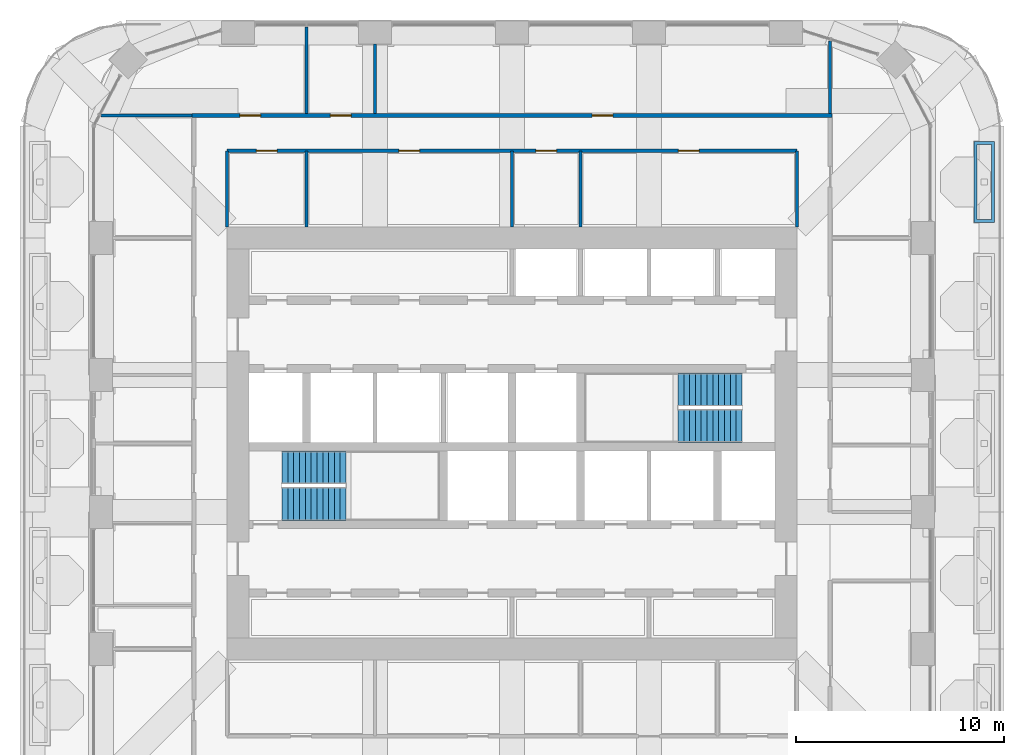
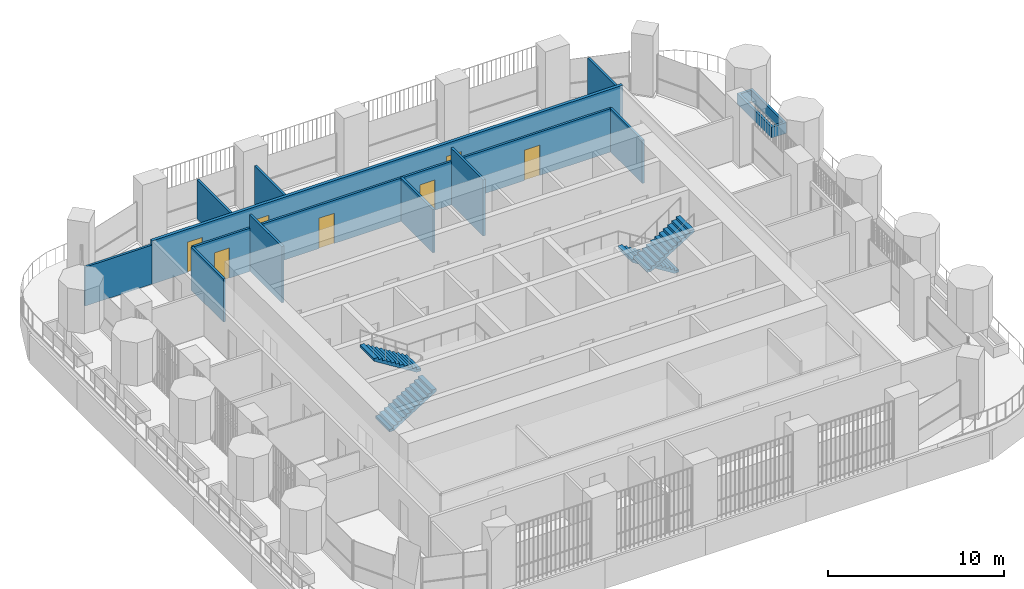
# One storey, part 17 of 24: 12 walls, 7 doors, 4 stair flights, 7 openings, 2 elements without a shape of their own.
"""IFC4 building model written with IfcOpenShell, lengths in metres."""

from ifc_helpers import new_model, si_unit, direction, frame, frame_2d, origin, place, context, subcontext, project, spatial, polyline, rectangle, outline, extrude, material, layer, layer_set, type_object, element, fill, aggregate, save


model = new_model("IFC4")

# Units and contexts
model_context = context("Model", 3, precision=1e-05, world=origin(), true_north=direction((0.0, 1.0)))
body_context = subcontext(model_context, "Body", "Model", "MODEL_VIEW")
ifc_project = project(units=[si_unit("LENGTHUNIT", "METRE"), si_unit("AREAUNIT", "SQUARE_METRE"), si_unit("VOLUMEUNIT", "CUBIC_METRE"), si_unit("PLANEANGLEUNIT", "RADIAN"), si_unit("MASSUNIT", "GRAM", prefix="KILO")], contexts=[model_context])

# Site, building, storey
site_placement = place(None, origin())
site = spatial("IfcSite", under=ifc_project, at=site_placement, CompositionType="ELEMENT")
building_placement = place(site_placement, origin())
building = spatial("IfcBuilding", under=site, at=building_placement, Name="Cobogo Forest Laboratory Tower", CompositionType="ELEMENT")
storey_placement = place(building_placement, frame((0.0, 0.0, 229.199951171875)))
storey = spatial("IfcBuildingStorey", under=building, at=storey_placement, Name="L52", CompositionType="ELEMENT", Elevation=229.199951171875)

# Wall, openings, doors
ifc_material_1 = material(Name="Gypsum board on steel studs", Category="steel")
ifc_layer_1 = layer(ifc_material_1, 0.14990234375)
ifc_layer_set_1 = layer_set([ifc_layer_1], Name="PT1 laboratory partition 150")
wall_type_1 = type_object("IfcWallType", Name="PT1 laboratory partition 150", PredefinedType="PARTITIONING", material=ifc_layer_set_1)
wall_1_placement = place(storey_placement, frame((12.675048828125, 37.199951171875, 0.0), z_axis=(0.0, 0.0, 1.0), x_axis=(1.0, 0.0, 0.0)))
wall_1 = element("IfcWall", 1, at=wall_1_placement, inside=storey, type_object=wall_type_1, Name="Partition CSTRIP-N L52", PredefinedType="PARTITIONING", context=body_context, shape_type="SweptSolid", body=[
    extrude(rectangle(XDim=27.449951171875, YDim=0.14990234375, at=frame_2d((13.72509765625, 0.0))), origin(), (0.0, 0.0, 1.0), 3.0),
])
opening_1_placement = place(wall_1_placement, frame((1.41259765625, 0.0, 0.0)))
opening_1 = element("IfcOpeningElement", 2, at=opening_1_placement, cuts=wall_1, Name="Opening L52-D43", PredefinedType="OPENING", context=body_context, shape_type="SweptSolid", body=[
    extrude(rectangle(XDim=1.0, YDim=2.10009765625, at=frame_2d((0.5, 1.050048828125))), frame((0.0, 0.0849609375, 0.0), z_axis=(0.0, -1.0, 0.0), x_axis=(1.0, 0.0, 0.0)), (0.0, 0.0, 1.0), 0.169921875),
])
opening_2_placement = place(wall_1_placement, frame((8.27490234375, 0.0, 0.0)))
opening_2 = element("IfcOpeningElement", 3, at=opening_2_placement, cuts=wall_1, Name="Opening L52-D44", PredefinedType="OPENING", context=body_context, shape_type="SweptSolid", body=[
    extrude(rectangle(XDim=1.0, YDim=2.10009765625, at=frame_2d((0.5, 1.050048828125))), frame((0.0, 0.0849609375, 0.0), z_axis=(0.0, -1.0, 0.0), x_axis=(1.0, 0.0, 0.0)), (0.0, 0.0, 1.0), 0.169921875),
])
opening_3_placement = place(wall_1_placement, frame((14.875, 0.0, 0.0)))
opening_3 = element("IfcOpeningElement", 4, at=opening_3_placement, cuts=wall_1, Name="Opening L52-D45", PredefinedType="OPENING", context=body_context, shape_type="SweptSolid", body=[
    extrude(rectangle(XDim=1.0, YDim=2.10009765625, at=frame_2d((0.5, 1.050048828125))), frame((0.0, 0.0849609375, 0.0), z_axis=(0.0, -1.0, 0.0), x_axis=(1.0, 0.0, 0.0)), (0.0, 0.0, 1.0), 0.169921875),
])
opening_4_placement = place(wall_1_placement, frame((21.737548828125, 0.0, 0.0)))
opening_4 = element("IfcOpeningElement", 5, at=opening_4_placement, cuts=wall_1, Name="Opening L52-D46", PredefinedType="OPENING", context=body_context, shape_type="SweptSolid", body=[
    extrude(rectangle(XDim=1.0, YDim=2.10009765625, at=frame_2d((0.5, 1.050048828125))), frame((0.0, 0.0849609375, 0.0), z_axis=(0.0, -1.0, 0.0), x_axis=(1.0, 0.0, 0.0)), (0.0, 0.0, 1.0), 0.169921875),
])
ifc_material_2 = material(Name="Timber fire door", Category="wood")
door_type = type_object("IfcDoorType", Name="FD2 fire door 1000 EI2 30", OperationType="SINGLE_SWING_LEFT", PredefinedType="DOOR", material=ifc_material_2)
door_1_placement = place(opening_1_placement, origin())
door_1 = element("IfcDoor", 6, at=door_1_placement, inside=storey, type_object=door_type, Name="Door L52-CSN1", OperationType="SINGLE_SWING_LEFT", OverallHeight=2.10009765625, OverallWidth=1.0, PredefinedType="DOOR", context=body_context, shape_type="SweptSolid", body=[
    extrude(rectangle(XDim=1.0, YDim=2.10009765625, at=frame_2d((0.5, 1.050048828125))), frame((0.0, 0.02490234375, 0.0), z_axis=(0.0, -1.0, 0.0), x_axis=(1.0, 0.0, 0.0)), (0.0, 0.0, 1.0), 0.050048828125),
])
fill(opening_1, door_1)
door_2_placement = place(opening_2_placement, origin())
door_2 = element("IfcDoor", 7, at=door_2_placement, inside=storey, type_object=door_type, Name="Door L52-CSN2", OperationType="SINGLE_SWING_LEFT", OverallHeight=2.10009765625, OverallWidth=1.0, PredefinedType="DOOR", context=body_context, shape_type="SweptSolid", body=[
    extrude(rectangle(XDim=1.0, YDim=2.10009765625, at=frame_2d((0.5, 1.050048828125))), frame((0.0, 0.02490234375, 0.0), z_axis=(0.0, -1.0, 0.0), x_axis=(1.0, 0.0, 0.0)), (0.0, 0.0, 1.0), 0.050048828125),
])
fill(opening_2, door_2)
door_3_placement = place(opening_3_placement, origin())
door_3 = element("IfcDoor", 8, at=door_3_placement, inside=storey, type_object=door_type, Name="Door L52-CSN3", OperationType="SINGLE_SWING_RIGHT", OverallHeight=2.10009765625, OverallWidth=1.0, PredefinedType="DOOR", context=body_context, shape_type="SweptSolid", body=[
    extrude(rectangle(XDim=1.0, YDim=2.10009765625, at=frame_2d((0.5, 1.050048828125))), frame((0.0, 0.02490234375, 0.0), z_axis=(0.0, -1.0, 0.0), x_axis=(1.0, 0.0, 0.0)), (0.0, 0.0, 1.0), 0.050048828125),
])
fill(opening_3, door_3)
door_4_placement = place(opening_4_placement, origin())
door_4 = element("IfcDoor", 9, at=door_4_placement, inside=storey, type_object=door_type, Name="Door L52-CSN4", OperationType="SINGLE_SWING_RIGHT", OverallHeight=2.10009765625, OverallWidth=1.0, PredefinedType="DOOR", context=body_context, shape_type="SweptSolid", body=[
    extrude(rectangle(XDim=1.0, YDim=2.10009765625, at=frame_2d((0.5, 1.050048828125))), frame((0.0, 0.02490234375, 0.0), z_axis=(0.0, -1.0, 0.0), x_axis=(1.0, 0.0, 0.0)), (0.0, 0.0, 1.0), 0.050048828125),
])
fill(opening_4, door_4)

# Walls
for number, where, z_axis, x_axis, name in (
    (10, (12.675048828125, 33.52490234375, 0.0), (0.0, 0.0, 1.0), (0.0, 1.0, 0.0), "Partition CSTRIP-NW L52"),
    (11, (40.125, 33.52490234375, 0.0), (0.0, 0.0, 1.0), (0.0, 1.0, 0.0), "Partition CSTRIP-NE L52"),
):
    element("IfcWall", number, at=place(storey_placement, frame(where, z_axis=z_axis, x_axis=x_axis)), inside=storey, type_object=wall_type_1, Name=name, PredefinedType="PARTITIONING", context=body_context, shape_type="SweptSolid", body=[
        extrude(rectangle(XDim=3.675048828125, YDim=0.14990234375, at=frame_2d((1.83740234375, 0.0))), origin(), (0.0, 0.0, 1.0), 3.0),
    ])
wall_2_placement = place(storey_placement, frame((16.5, 33.52490234375, 0.0), z_axis=(0.0, 0.0, 1.0), x_axis=(0.0, 1.0, 0.0)))
element("IfcWall", 12, at=wall_2_placement, inside=storey, type_object=wall_type_1, Name="Partition CSTRIP-N16.5 L52", PredefinedType="PARTITIONING", context=body_context, shape_type="SweptSolid", body=[
    extrude(rectangle(XDim=3.675048828125, YDim=0.14990234375, at=frame_2d((1.83740234375, 0.0))), origin(), (0.0, 0.0, 1.0), 3.900146484375),
])
wall_3_placement = place(storey_placement, frame((26.39990234375, 33.52490234375, 0.0), z_axis=(0.0, 0.0, 1.0), x_axis=(0.0, 1.0, 0.0)))
element("IfcWall", 13, at=wall_3_placement, inside=storey, type_object=wall_type_1, Name="Partition CSTRIP-N26.4 L52", PredefinedType="PARTITIONING", context=body_context, shape_type="SweptSolid", body=[
    extrude(rectangle(XDim=3.675048828125, YDim=0.14990234375, at=frame_2d((1.83740234375, 0.0))), origin(), (0.0, 0.0, 1.0), 3.0),
])
wall_4_placement = place(storey_placement, frame((29.699951171875, 33.52490234375, 0.0), z_axis=(0.0, 0.0, 1.0), x_axis=(0.0, 1.0, 0.0)))
element("IfcWall", 14, at=wall_4_placement, inside=storey, type_object=wall_type_1, Name="Partition CSTRIP-N29.7 L52", PredefinedType="PARTITIONING", context=body_context, shape_type="SweptSolid", body=[
    extrude(rectangle(XDim=3.675048828125, YDim=0.14990234375, at=frame_2d((1.83740234375, 0.0))), origin(), (0.0, 0.0, 1.0), 3.900146484375),
])
wall_5_placement = place(storey_placement, frame((41.72509765625, 42.4951171875, 0.0), z_axis=(0.0, 0.0, 1.0), x_axis=(0.0, -1.0, 0.0)))
element("IfcWall", 15, at=wall_5_placement, inside=storey, type_object=wall_type_1, Name="Partition PW-NE L52", PredefinedType="PARTITIONING", context=body_context, shape_type="SweptSolid", body=[
    extrude(rectangle(XDim=3.4951171875, YDim=0.14990234375, at=frame_2d((1.74755859375, 0.0))), origin(), (0.0, 0.0, 1.0), 2.699951171875),
])
wall_6_placement = place(storey_placement, frame((6.6025390625, 38.89990234375, 0.0), z_axis=(0.0, 0.0, 1.0), x_axis=(1.0, 0.0, 0.0)))
element("IfcWall", 16, at=wall_6_placement, inside=storey, type_object=wall_type_1, Name="Partition PW-NW L52", PredefinedType="PARTITIONING", context=body_context, shape_type="SweptSolid", body=[
    extrude(rectangle(XDim=4.37255859375, YDim=0.14990234375, at=frame_2d((2.186279296875, 0.0))), origin(), (0.0, 0.0, 1.0), 2.699951171875),
])
wall_7_placement = place(storey_placement, frame((16.5, 43.169921875, 0.0), z_axis=(0.0, 0.0, 1.0), x_axis=(0.0, -1.0, 0.0)))
element("IfcWall", 17, at=wall_7_placement, inside=storey, type_object=wall_type_1, Name="Partition CUT-N16.5-1 L52", PredefinedType="PARTITIONING", context=body_context, shape_type="SweptSolid", body=[
    extrude(rectangle(XDim=4.169921875, YDim=0.14990234375, at=frame_2d((2.0849609375, 0.0))), origin(), (0.0, 0.0, 1.0), 2.699951171875),
])
wall_8_placement = place(storey_placement, frame((19.800048828125, 42.35009765625, 0.0), z_axis=(0.0, 0.0, 1.0), x_axis=(0.0, -1.0, 0.0)))
element("IfcWall", 18, at=wall_8_placement, inside=storey, type_object=wall_type_1, Name="Partition CUT-N19.8-1 L52", PredefinedType="PARTITIONING", context=body_context, shape_type="SweptSolid", body=[
    extrude(rectangle(XDim=3.35009765625, YDim=0.14990234375, at=frame_2d((1.675048828125, 0.0))), origin(), (0.0, 0.0, 1.0), 3.0),
])

# Wall, openings, doors
ifc_layer_2 = layer(ifc_material_1, 0.199951171875)
ifc_layer_set_2 = layer_set([ifc_layer_2], Name="PT2 fire-rated corridor partition 200")
wall_type_2 = type_object("IfcWallType", Name="PT2 fire-rated corridor partition 200", PredefinedType="PARTITIONING", material=ifc_layer_set_2)
wall_9_placement = place(storey_placement, frame((10.97509765625, 38.89990234375, 0.0), z_axis=(0.0, 0.0, 1.0), x_axis=(1.0, 0.0, 0.0)))
wall_9 = element("IfcWall", 19, at=wall_9_placement, inside=storey, type_object=wall_type_2, Name="Partition CORR-N L52", PredefinedType="PARTITIONING", context=body_context, shape_type="SweptSolid", body=[
    extrude(rectangle(XDim=30.849853515625, YDim=0.199951171875, at=frame_2d((15.4248046875, 0.0))), origin(), (0.0, 0.0, 1.0), 3.0),
])
opening_5_placement = place(wall_9_placement, frame((2.3125, 0.0, 0.0)))
opening_5 = element("IfcOpeningElement", 20, at=opening_5_placement, cuts=wall_9, Name="Opening L52-D47", PredefinedType="OPENING", context=body_context, shape_type="SweptSolid", body=[
    extrude(rectangle(XDim=1.0, YDim=2.10009765625, at=frame_2d((0.5, 1.050048828125))), frame((0.0, 0.10986328125, 0.0), z_axis=(0.0, -1.0, 0.0), x_axis=(1.0, 0.0, 0.0)), (0.0, 0.0, 1.0), 0.219970703125),
])
opening_6_placement = place(wall_9_placement, frame((6.675048828125, 0.0, 0.0)))
opening_6 = element("IfcOpeningElement", 21, at=opening_6_placement, cuts=wall_9, Name="Opening L52-D48", PredefinedType="OPENING", context=body_context, shape_type="SweptSolid", body=[
    extrude(rectangle(XDim=1.0, YDim=2.10009765625, at=frame_2d((0.5, 1.050048828125))), frame((0.0, 0.10986328125, 0.0), z_axis=(0.0, -1.0, 0.0), x_axis=(1.0, 0.0, 0.0)), (0.0, 0.0, 1.0), 0.219970703125),
])
opening_7_placement = place(wall_9_placement, frame((19.28759765625, 0.0, 0.0)))
opening_7 = element("IfcOpeningElement", 22, at=opening_7_placement, cuts=wall_9, Name="Opening L52-D49", PredefinedType="OPENING", context=body_context, shape_type="SweptSolid", body=[
    extrude(rectangle(XDim=1.0, YDim=2.10009765625, at=frame_2d((0.5, 1.050048828125))), frame((0.0, 0.10986328125, 0.0), z_axis=(0.0, -1.0, 0.0), x_axis=(1.0, 0.0, 0.0)), (0.0, 0.0, 1.0), 0.219970703125),
])
door_5_placement = place(opening_5_placement, origin())
door_5 = element("IfcDoor", 23, at=door_5_placement, inside=storey, type_object=door_type, Name="Door L52-N1", OperationType="SINGLE_SWING_LEFT", OverallHeight=2.10009765625, OverallWidth=1.0, PredefinedType="DOOR", context=body_context, shape_type="SweptSolid", body=[
    extrude(rectangle(XDim=1.0, YDim=2.10009765625, at=frame_2d((0.5, 1.050048828125))), frame((0.0, 0.02490234375, 0.0), z_axis=(0.0, -1.0, 0.0), x_axis=(1.0, 0.0, 0.0)), (0.0, 0.0, 1.0), 0.050048828125),
])
fill(opening_5, door_5)
door_6_placement = place(opening_6_placement, origin())
door_6 = element("IfcDoor", 24, at=door_6_placement, inside=storey, type_object=door_type, Name="Door L52-N2", OperationType="SINGLE_SWING_LEFT", OverallHeight=2.10009765625, OverallWidth=1.0, PredefinedType="DOOR", context=body_context, shape_type="SweptSolid", body=[
    extrude(rectangle(XDim=1.0, YDim=2.10009765625, at=frame_2d((0.5, 1.050048828125))), frame((0.0, 0.02490234375, 0.0), z_axis=(0.0, -1.0, 0.0), x_axis=(1.0, 0.0, 0.0)), (0.0, 0.0, 1.0), 0.050048828125),
])
fill(opening_6, door_6)
door_7_placement = place(opening_7_placement, origin())
door_7 = element("IfcDoor", 25, at=door_7_placement, inside=storey, type_object=door_type, Name="Door L52-N3", OperationType="SINGLE_SWING_RIGHT", OverallHeight=2.10009765625, OverallWidth=1.0, PredefinedType="DOOR", context=body_context, shape_type="SweptSolid", body=[
    extrude(rectangle(XDim=1.0, YDim=2.10009765625, at=frame_2d((0.5, 1.050048828125))), frame((0.0, 0.02490234375, 0.0), z_axis=(0.0, -1.0, 0.0), x_axis=(1.0, 0.0, 0.0)), (0.0, 0.0, 1.0), 0.050048828125),
])
fill(opening_7, door_7)

# Wall
ifc_material_3 = material(Name="Concrete HA-40 (C40/50)", Category="concrete")
ifc_layer_3 = layer(ifc_material_3, 0.14990234375)
ifc_layer_set_3 = layer_set([ifc_layer_3], Name="Planter box 1000x750")
wall_type_3 = type_object("IfcWallType", Name="Planter box 1000x750", PredefinedType="USERDEFINED", material=ifc_layer_set_3)
wall_10_placement = place(storey_placement, origin())
element("IfcWall", 26, at=wall_10_placement, inside=storey, type_object=wall_type_3, Name="Terrace planter TER-E-5 L52", ObjectType="PLANTER", PredefinedType="USERDEFINED", context=body_context, shape_type="SweptSolid", body=[
    extrude(outline(polyline([(48.64990234375, 33.75), (49.64990234375, 33.75), (49.64990234375, 37.64990234375), (48.64990234375, 37.64990234375), (48.64990234375, 33.75)]), holes=[polyline([(48.800048828125, 33.89990234375), (49.5, 33.89990234375), (49.5, 37.5), (48.800048828125, 37.5), (48.800048828125, 33.89990234375)])]), origin(), (0.0, 0.0, 1.0), 0.75),
])

# Stair, stair flights
ifc_material_4 = material(Name="Precast concrete HA-40 (C40/50)", Category="concrete")
stair_type = type_object("IfcStairType", Name="ST24 exit stair 24 risers", PredefinedType="HALF_TURN_STAIR", material=ifc_material_4)
stair_1_placement = place(storey_placement, origin())
stair_1 = element("IfcStair", 27, at=stair_1_placement, inside=storey, type_object=stair_type, Name="Stair 1 L52 to L53", PredefinedType="HALF_TURN_STAIR")
stair_flight_type = type_object("IfcStairFlightType", Name="ST stair flight 280 going", PredefinedType="STRAIGHT", material=ifc_material_4)
stair_flight_1_placement = place(storey_placement, frame((15.324951171875, 20.199951171875, 0.0), z_axis=(0.0, 0.0, 1.0), x_axis=(1.0, 0.0, 0.0)))
stair_flight_1 = element("IfcStairFlight", 28, at=stair_flight_1_placement, type_object=stair_flight_type, Name="ST1 flight 1", NumberOfRisers=12, NumberOfTreads=11, PredefinedType="STRAIGHT", RiserHeight=0.175, TreadLength=0.28, context=body_context, shape_type="SweptSolid", body=[
    extrude(outline(polyline([(0.0, 0.0), (0.0, 0.175048828125), (0.280029296875, 0.175048828125), (0.280029296875, 0.35009765625), (0.56005859375, 0.35009765625), (0.56005859375, 0.52490234375), (0.840087890625, 0.52490234375), (0.840087890625, 0.699951171875), (1.1201171875, 0.699951171875), (1.1201171875, 0.875), (1.39990234375, 0.875), (1.39990234375, 1.050048828125), (1.679931640625, 1.050048828125), (1.679931640625, 1.22509765625), (1.9599609375, 1.22509765625), (1.9599609375, 1.39990234375), (2.239990234375, 1.39990234375), (2.239990234375, 1.574951171875), (2.52001953125, 1.574951171875), (2.52001953125, 1.75), (2.800048828125, 1.75), (2.800048828125, 1.925048828125), (3.080078125, 1.925048828125), (3.080078125, 2.10009765625), (3.080078125, 1.748291015625), (0.28271484375, 0.0), (0.0, 0.0)])), frame((0.0, 0.800048828125, 0.0), z_axis=(0.0, -1.0, 0.0), x_axis=(1.0, 0.0, 0.0)), (0.0, 0.0, 1.0), 1.60009765625),
])
stair_flight_2_placement = place(storey_placement, frame((18.405029296875, 21.949951171875, 2.10009765625), z_axis=(0.0, 0.0, 1.0), x_axis=(-1.0, 0.0, 0.0)))
stair_flight_2 = element("IfcStairFlight", 29, at=stair_flight_2_placement, type_object=stair_flight_type, Name="ST1 flight 2", NumberOfRisers=12, NumberOfTreads=11, PredefinedType="STRAIGHT", RiserHeight=0.175, TreadLength=0.28, context=body_context, shape_type="SweptSolid", body=[
    extrude(outline(polyline([(0.0, 0.0), (0.0, 0.175048828125), (0.280029296875, 0.175048828125), (0.280029296875, 0.35009765625), (0.56005859375, 0.35009765625), (0.56005859375, 0.52490234375), (0.840087890625, 0.52490234375), (0.840087890625, 0.699951171875), (1.1201171875, 0.699951171875), (1.1201171875, 0.875), (1.39990234375, 0.875), (1.39990234375, 1.050048828125), (1.679931640625, 1.050048828125), (1.679931640625, 1.22509765625), (1.9599609375, 1.22509765625), (1.9599609375, 1.39990234375), (2.239990234375, 1.39990234375), (2.239990234375, 1.574951171875), (2.52001953125, 1.574951171875), (2.52001953125, 1.75), (2.800048828125, 1.75), (2.800048828125, 1.925048828125), (3.080078125, 1.925048828125), (3.080078125, 2.10009765625), (3.080078125, 1.748291015625), (0.28271484375, 0.0), (0.0, 0.0)])), frame((0.0, 0.800048828125, 0.0), z_axis=(0.0, -1.0, 0.0), x_axis=(1.0, 0.0, 0.0)), (0.0, 0.0, 1.0), 1.60009765625),
])
aggregate(stair_1, [stair_flight_1, stair_flight_2])

stair_2_placement = place(storey_placement, origin())
stair_2 = element("IfcStair", 30, at=stair_2_placement, inside=storey, type_object=stair_type, Name="Stair 2 L52 to L53", PredefinedType="HALF_TURN_STAIR")
stair_flight_3_placement = place(storey_placement, frame((37.47509765625, 25.699951171875, 0.0), z_axis=(0.0, 0.0, 1.0), x_axis=(-1.0, 0.0, 0.0)))
stair_flight_3 = element("IfcStairFlight", 31, at=stair_flight_3_placement, type_object=stair_flight_type, Name="ST2 flight 1", NumberOfRisers=12, NumberOfTreads=11, PredefinedType="STRAIGHT", RiserHeight=0.175, TreadLength=0.28, context=body_context, shape_type="SweptSolid", body=[
    extrude(outline(polyline([(0.0, 0.0), (0.0, 0.175048828125), (0.280029296875, 0.175048828125), (0.280029296875, 0.35009765625), (0.56005859375, 0.35009765625), (0.56005859375, 0.52490234375), (0.840087890625, 0.52490234375), (0.840087890625, 0.699951171875), (1.1201171875, 0.699951171875), (1.1201171875, 0.875), (1.39990234375, 0.875), (1.39990234375, 1.050048828125), (1.679931640625, 1.050048828125), (1.679931640625, 1.22509765625), (1.9599609375, 1.22509765625), (1.9599609375, 1.39990234375), (2.239990234375, 1.39990234375), (2.239990234375, 1.574951171875), (2.52001953125, 1.574951171875), (2.52001953125, 1.75), (2.800048828125, 1.75), (2.800048828125, 1.925048828125), (3.080078125, 1.925048828125), (3.080078125, 2.10009765625), (3.080078125, 1.748291015625), (0.28271484375, 0.0), (0.0, 0.0)])), frame((0.0, 0.800048828125, 0.0), z_axis=(0.0, -1.0, 0.0), x_axis=(1.0, 0.0, 0.0)), (0.0, 0.0, 1.0), 1.60009765625),
])
stair_flight_4_placement = place(storey_placement, frame((34.39501953125, 23.949951171875, 2.10009765625), z_axis=(0.0, 0.0, 1.0), x_axis=(1.0, 0.0, 0.0)))
stair_flight_4 = element("IfcStairFlight", 32, at=stair_flight_4_placement, type_object=stair_flight_type, Name="ST2 flight 2", NumberOfRisers=12, NumberOfTreads=11, PredefinedType="STRAIGHT", RiserHeight=0.175, TreadLength=0.28, context=body_context, shape_type="SweptSolid", body=[
    extrude(outline(polyline([(0.0, 0.0), (0.0, 0.175048828125), (0.280029296875, 0.175048828125), (0.280029296875, 0.35009765625), (0.56005859375, 0.35009765625), (0.56005859375, 0.52490234375), (0.840087890625, 0.52490234375), (0.840087890625, 0.699951171875), (1.1201171875, 0.699951171875), (1.1201171875, 0.875), (1.39990234375, 0.875), (1.39990234375, 1.050048828125), (1.679931640625, 1.050048828125), (1.679931640625, 1.22509765625), (1.9599609375, 1.22509765625), (1.9599609375, 1.39990234375), (2.239990234375, 1.39990234375), (2.239990234375, 1.574951171875), (2.52001953125, 1.574951171875), (2.52001953125, 1.75), (2.800048828125, 1.75), (2.800048828125, 1.925048828125), (3.080078125, 1.925048828125), (3.080078125, 2.10009765625), (3.080078125, 1.748291015625), (0.28271484375, 0.0), (0.0, 0.0)])), frame((0.0, 0.800048828125, 0.0), z_axis=(0.0, -1.0, 0.0), x_axis=(1.0, 0.0, 0.0)), (0.0, 0.0, 1.0), 1.60009765625),
])
aggregate(stair_2, [stair_flight_3, stair_flight_4])

save(model, "model.ifc")
